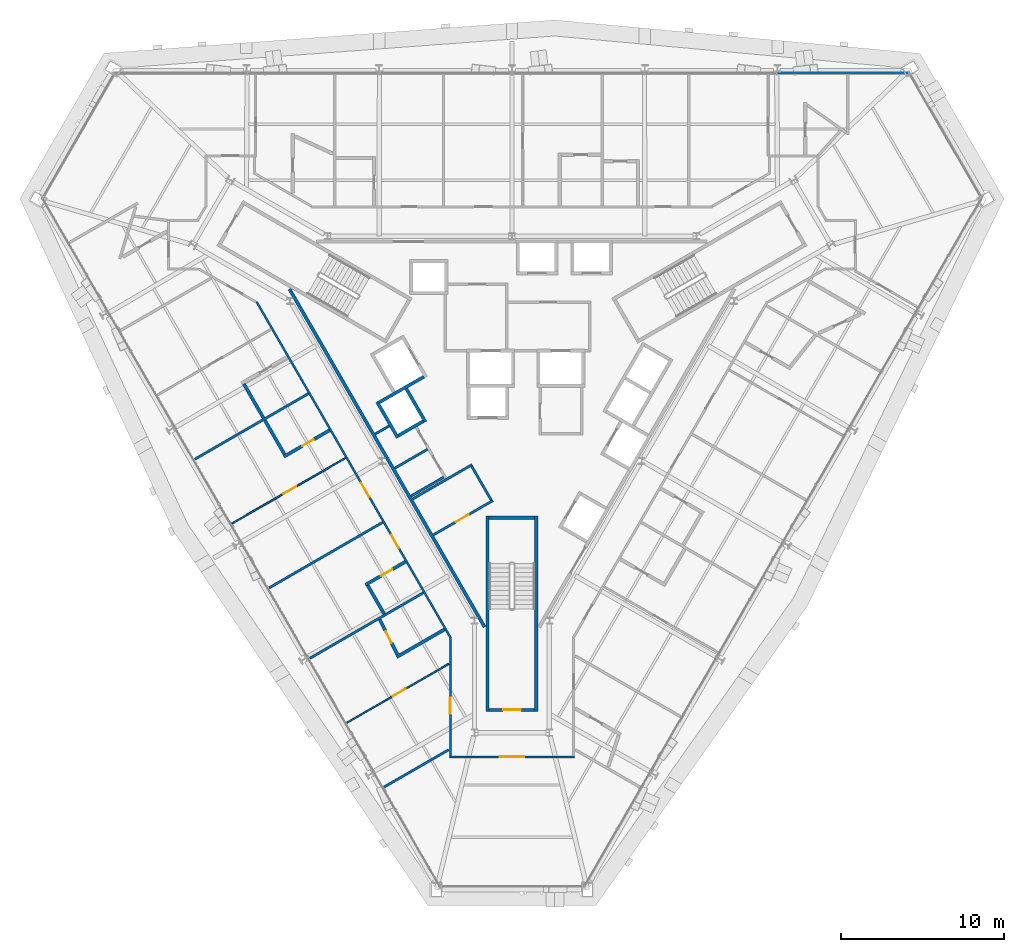
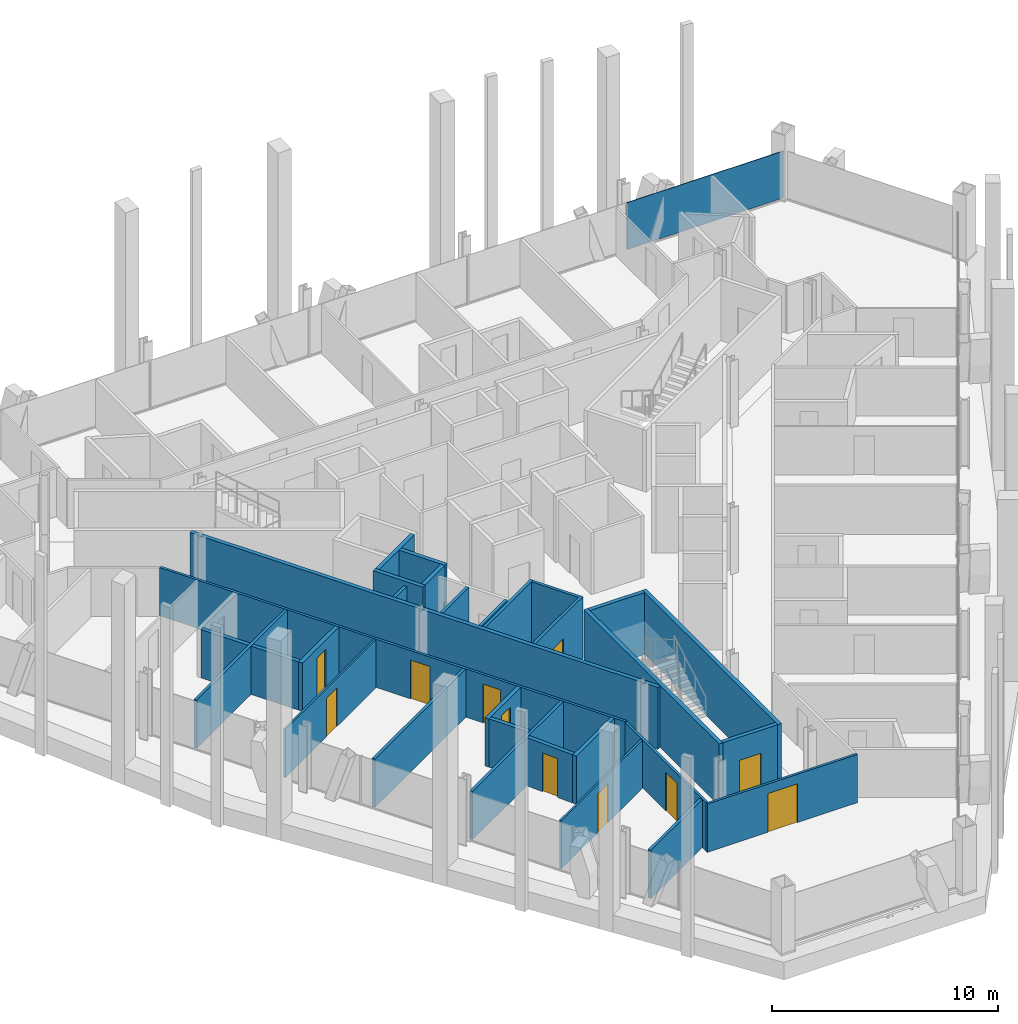
# One storey, part 13 of 19: 31 walls, 11 doors, 1 plate, 11 openings, 1 element without a shape of its own.
"""IFC4 building model written with IfcOpenShell, lengths in metres."""

from ifc_helpers import new_model, si_unit, direction, frame, frame_2d, origin, origin_2d, place, context, subcontext, project, spatial, rectangle, extrude, material, layer, layer_set, type_object, element, fill, aggregate, save


model = new_model("IFC4")

# Units and contexts
model_context = context("Model", 3, precision=1e-05, world=origin(), true_north=direction((0.0, 1.0)))
body_context = subcontext(model_context, "Body", "Model", "MODEL_VIEW")
ifc_project = project(units=[si_unit("LENGTHUNIT", "METRE"), si_unit("AREAUNIT", "SQUARE_METRE"), si_unit("VOLUMEUNIT", "CUBIC_METRE"), si_unit("PLANEANGLEUNIT", "RADIAN"), si_unit("MASSUNIT", "GRAM", prefix="KILO")], contexts=[model_context])

# Site, building, storey
site_placement = place(None, origin())
site = spatial("IfcSite", under=ifc_project, at=site_placement, CompositionType="ELEMENT")
building_placement = place(site_placement, origin())
building = spatial("IfcBuilding", under=site, at=building_placement, Name="Verrane Prism Tower", CompositionType="ELEMENT")
storey_placement = place(building_placement, frame((0.0, 0.0, 121.60009765625)))
storey = spatial("IfcBuildingStorey", under=building, at=storey_placement, Name="L29", CompositionType="ELEMENT", Elevation=121.60009765625)

# Curtain wall, plate
ifc_material_1 = material(Name="Aluminium framed insulated glazing", Category="aluminium")
curtain_wall_type = type_object("IfcCurtainWallType", Name="Curtain wall CW-A 8400 module", PredefinedType="NOTDEFINED", material=ifc_material_1)
curtain_wall_placement = place(storey_placement, origin())
curtain_wall = element("IfcCurtainWall", 1, at=curtain_wall_placement, inside=storey, type_object=curtain_wall_type, Name="Glazed curtain wall north face L29", PredefinedType="NOTDEFINED")
ifc_material_2 = material(Name="Low-iron insulating glass unit", Category="glass")
ifc_layer_1 = layer(ifc_material_2, 0.031982421875)
ifc_layer_set_1 = layer_set([ifc_layer_1], Name="Glazing panel IGU 32")
plate_type = type_object("IfcPlateType", Name="Glazing panel IGU 32", PredefinedType="CURTAIN_PANEL", material=ifc_layer_set_1)
plate_placement = place(storey_placement, frame((20.314697265625, 19.2109375, 0.06982421875), z_axis=(0.0, 0.0, 1.0), x_axis=(-1.0, 0.0, 0.0)))
plate = element("IfcPlate", 2, at=plate_placement, type_object=plate_type, Name="CW29.2 panel 1", PredefinedType="CURTAIN_PANEL", context=body_context, shape_type="SweptSolid", body=[
    extrude(rectangle(XDim=8.02783203125, YDim=0.031982421875, at=origin_2d()), origin(), (0.0, 0.0, 1.0), 2.54296875),
])
aggregate(curtain_wall, [plate])

# Wall
ifc_material_3 = material(Name="Gypsum board partition", Category="other")
ifc_layer_2 = layer(ifc_material_3, 0.199951171875)
ifc_layer_set_2 = layer_set([ifc_layer_2], Name="CW-200 core boundary wall 2 h")
wall_type_1 = type_object("IfcWallType", Name="CW-200 core boundary wall 2 h", PredefinedType="PARTITIONING", material=ifc_layer_set_2)
wall_1_placement = place(storey_placement, frame((-13.66357421875, 5.946044921875, 0.0), z_axis=(0.0, 0.0, 1.0), x_axis=(0.499994327219, -0.866028678941, 0.0)))
element("IfcWall", 3, at=wall_1_placement, inside=storey, type_object=wall_type_1, Name="Core boundary wall CW3-001", PredefinedType="PARTITIONING", context=body_context, shape_type="SweptSolid", body=[
    extrude(rectangle(XDim=23.967529296875, YDim=0.199951171875, at=frame_2d((11.98388671875, 0.0))), origin(), (0.0, 0.0, 1.0), 3.349853515625),
])

# Wall, opening, door
ifc_material_4 = material(Name="Concrete C40/50", Category="concrete")
ifc_layer_3 = layer(ifc_material_4, 0.199951171875)
ifc_layer_set_3 = layer_set([ifc_layer_3], Name="CW-200 stair core wall concrete C40/50 3 h")
wall_type_2 = type_object("IfcWallType", Name="CW-200 stair core wall concrete C40/50 3 h", PredefinedType="PARTITIONING", material=ifc_layer_set_3)
wall_2_placement = place(storey_placement, frame((-1.39990234375, -19.89990234375, 0.0), z_axis=(0.0, 0.0, 1.0), x_axis=(1.0, 0.0, 0.0)))
wall_2 = element("IfcWall", 4, at=wall_2_placement, inside=storey, type_object=wall_type_2, Name="Stair 3 enclosure wall", PredefinedType="PARTITIONING", context=body_context, shape_type="SweptSolid", body=[
    extrude(rectangle(XDim=2.7998046875, YDim=0.199951171875, at=frame_2d((1.39990234375, 0.0))), origin(), (0.0, 0.0, 1.0), 3.349853515625),
])
opening_1_placement = place(wall_2_placement, frame((0.85009765625, 0.0, 0.0)))
opening_1 = element("IfcOpeningElement", 5, at=opening_1_placement, cuts=wall_2, Name="Opening D29502", PredefinedType="OPENING", context=body_context, shape_type="SweptSolid", body=[
    extrude(rectangle(XDim=1.10009765625, YDim=2.10009765625, at=frame_2d((0.550048828125, 1.050048828125))), frame((0.0, 0.10986328125, 0.0), z_axis=(0.0, -1.0, 0.0), x_axis=(1.0, 0.0, 0.0)), (0.0, 0.0, 1.0), 0.219970703125),
])
ifc_material_5 = material(Name="Timber veneered door leaf", Category="wood")
door_type_1 = type_object("IfcDoorType", Name="DR-1100x2100 FD90 single leaf stair", OperationType="NOTDEFINED", PredefinedType="DOOR", material=ifc_material_5)
door_1_placement = place(opening_1_placement, origin())
door_1 = element("IfcDoor", 6, at=door_1_placement, inside=storey, type_object=door_type_1, Name="Stair 3 door", OperationType="SINGLE_SWING_LEFT", OverallHeight=2.10009765625, OverallWidth=1.10009765625, PredefinedType="DOOR", context=body_context, shape_type="SweptSolid", body=[
    extrude(rectangle(XDim=1.10009765625, YDim=2.10009765625, at=frame_2d((0.550048828125, 1.050048828125))), frame((0.0, 0.02490234375, 0.0), z_axis=(0.0, -1.0, 0.0), x_axis=(1.0, 0.0, 0.0)), (0.0, 0.0, 1.0), 0.050048828125),
])
fill(opening_1, door_1)

# Walls
for number, where, z_axis, x_axis, name in (
    (7, (1.5, -8.0, 0.0), (0.0, 0.0, 1.0), (0.0, -1.0, 0.0), "Stair 3 enclosure wall"),
    (8, (-1.5, -8.0, 0.0), (0.0, 0.0, 1.0), (0.0, -1.0, 0.0), "Stair 3 enclosure wall"),
):
    element("IfcWall", number, at=place(storey_placement, frame(where, z_axis=z_axis, x_axis=x_axis)), inside=storey, type_object=wall_type_2, Name=name, PredefinedType="PARTITIONING", context=body_context, shape_type="SweptSolid", body=[
        extrude(rectangle(XDim=12.0, YDim=0.199951171875, at=frame_2d((6.0, 0.0))), origin(), (0.0, 0.0, 1.0), 3.349853515625),
    ])
wall_3_placement = place(storey_placement, frame((-1.39990234375, -8.10009765625, 0.0), z_axis=(0.0, 0.0, 1.0), x_axis=(1.0, 0.0, 0.0)))
element("IfcWall", 9, at=wall_3_placement, inside=storey, type_object=wall_type_2, Name="Stair 3 enclosure wall", PredefinedType="PARTITIONING", context=body_context, shape_type="SweptSolid", body=[
    extrude(rectangle(XDim=2.7998046875, YDim=0.199951171875, at=frame_2d((1.39990234375, 0.0))), origin(), (0.0, 0.0, 1.0), 3.349853515625),
])
ifc_material_6 = material(Name="Gypsum board shaft wall assembly", Category="other")
ifc_layer_4 = layer(ifc_material_6, 0.199951171875)
ifc_layer_set_4 = layer_set([ifc_layer_4], Name="HW-200 lift shaft wall 2 h")
wall_type_3 = type_object("IfcWallType", Name="HW-200 lift shaft wall 2 h", PredefinedType="PARTITIONING", material=ifc_layer_set_4)
wall_4_placement = place(storey_placement, frame((-6.9697265625, -3.048095703125, 0.0), z_axis=(0.0, 0.0, 1.0), x_axis=(0.866036909293, 0.499980071345, 0.0)))
element("IfcWall", 10, at=wall_4_placement, inside=storey, type_object=wall_type_3, Name="Lift shaft wall", PredefinedType="PARTITIONING", context=body_context, shape_type="SweptSolid", body=[
    extrude(rectangle(XDim=1.75, YDim=0.199951171875, at=frame_2d((0.875, 0.0))), origin(), (0.0, 0.0, 1.0), 3.599853515625),
])
wall_5_placement = place(storey_placement, frame((-8.14453125, -1.012939453125, 0.0), z_axis=(0.0, 0.0, 1.0), x_axis=(0.866016494683, 0.500015430699, 0.0)))
element("IfcWall", 11, at=wall_5_placement, inside=storey, type_object=wall_type_3, Name="Lift shaft wall", PredefinedType="PARTITIONING", context=body_context, shape_type="SweptSolid", body=[
    extrude(rectangle(XDim=3.14990234375, YDim=0.199951171875, at=frame_2d((1.574951171875, 0.0))), origin(), (0.0, 0.0, 1.0), 3.599853515625),
])
wall_6_placement = place(storey_placement, frame((-5.317626953125, -2.209716796875, 0.0), z_axis=(0.0, 0.0, 1.0), x_axis=(-0.499938297808, 0.866061024631, 0.0)))
element("IfcWall", 12, at=wall_6_placement, inside=storey, type_object=wall_type_3, Name="Lift shaft wall", PredefinedType="PARTITIONING", context=body_context, shape_type="SweptSolid", body=[
    extrude(rectangle(XDim=2.349853515625, YDim=0.199951171875, at=frame_2d((1.1748046875, 0.0))), origin(), (0.0, 0.0, 1.0), 3.599853515625),
])
wall_7_placement = place(storey_placement, frame((-7.00634765625, -3.184814453125, 0.0), z_axis=(0.0, 0.0, 1.0), x_axis=(-0.499990435942, 0.866030925526, 0.0)))
element("IfcWall", 13, at=wall_7_placement, inside=storey, type_object=wall_type_3, Name="Lift shaft wall", PredefinedType="PARTITIONING", context=body_context, shape_type="SweptSolid", body=[
    extrude(rectangle(XDim=2.5498046875, YDim=0.199951171875, at=frame_2d((1.27490234375, 0.0))), origin(), (0.0, 0.0, 1.0), 3.599853515625),
])

# Wall, opening, door
ifc_material_7 = material(Name="Gypsum board partition", Category="other")
ifc_layer_5 = layer(ifc_material_7, 0.10009765625)
ifc_layer_set_5 = layer_set([ifc_layer_5], Name="PW-100 room partition")
wall_type_4 = type_object("IfcWallType", Name="PW-100 room partition", PredefinedType="PARTITIONING", material=ifc_layer_set_5)
wall_8_placement = place(storey_placement, frame((-17.191650390625, -8.452880859375, 0.0), z_axis=(0.0, 0.0, 1.0), x_axis=(0.865999665789, 0.500044576866, 0.0)))
wall_8 = element("IfcWall", 14, at=wall_8_placement, inside=storey, type_object=wall_type_4, Name="Room partition 015", PredefinedType="PARTITIONING", context=body_context, shape_type="SweptSolid", body=[
    extrude(rectangle(XDim=8.047607421875, YDim=0.10009765625, at=frame_2d((4.02392578125, 0.0))), origin(), (0.0, 0.0, 1.0), 2.61279296875),
])
opening_2_placement = place(wall_8_placement, frame((3.65380859375, 0.0, 0.0)))
opening_2 = element("IfcOpeningElement", 15, at=opening_2_placement, cuts=wall_8, Name="Opening D29020", PredefinedType="OPENING", context=body_context, shape_type="SweptSolid", body=[
    extrude(rectangle(XDim=0.89990234375, YDim=2.10009765625, at=frame_2d((0.449951171875, 1.050048828125))), frame((0.0, 0.06005859375, 0.0), z_axis=(0.0, -1.0, 0.0), x_axis=(1.0, 0.0, 0.0)), (0.0, 0.0, 1.0), 0.1201171875),
])
ifc_material_8 = material(Name="Timber veneered door leaf", Category="wood")
door_type_2 = type_object("IfcDoorType", Name="DR-900x2100 single leaf inner", OperationType="NOTDEFINED", PredefinedType="DOOR", material=ifc_material_8)
door_2_placement = place(opening_2_placement, origin())
door_2 = element("IfcDoor", 16, at=door_2_placement, inside=storey, type_object=door_type_2, Name="Suite Living Room door", OperationType="SINGLE_SWING_RIGHT", OverallHeight=2.10009765625, OverallWidth=0.89990234375, PredefinedType="DOOR", context=body_context, shape_type="SweptSolid", body=[
    extrude(rectangle(XDim=0.89990234375, YDim=2.10009765625, at=frame_2d((0.449951171875, 1.050048828125))), frame((0.0, 0.02490234375, 0.0), z_axis=(0.0, -1.0, 0.0), x_axis=(1.0, 0.0, 0.0)), (0.0, 0.0, 1.0), 0.050048828125),
])
fill(opening_2, door_2)

wall_9_placement = place(storey_placement, frame((-10.1298828125, -20.68408203125, 0.0), z_axis=(0.0, 0.0, 1.0), x_axis=(0.866023480589, 0.500003331057, 0.0)))
wall_9 = element("IfcWall", 17, at=wall_9_placement, inside=storey, type_object=wall_type_4, Name="Room partition 031", PredefinedType="PARTITIONING", context=body_context, shape_type="SweptSolid", body=[
    extrude(rectangle(XDim=7.22314453125, YDim=0.10009765625, at=frame_2d((3.611572265625, 0.0))), origin(), (0.0, 0.0, 1.0), 2.61279296875),
])
opening_3_placement = place(wall_9_placement, frame((3.25390625, 0.0, 0.0)))
opening_3 = element("IfcOpeningElement", 18, at=opening_3_placement, cuts=wall_9, Name="Opening D29025", PredefinedType="OPENING", context=body_context, shape_type="SweptSolid", body=[
    extrude(rectangle(XDim=0.89990234375, YDim=2.10009765625, at=frame_2d((0.449951171875, 1.050048828125))), frame((0.0, 0.06005859375, 0.0), z_axis=(0.0, -1.0, 0.0), x_axis=(1.0, 0.0, 0.0)), (0.0, 0.0, 1.0), 0.1201171875),
])
door_3_placement = place(opening_3_placement, origin())
door_3 = element("IfcDoor", 19, at=door_3_placement, inside=storey, type_object=door_type_2, Name="Suite Living Room door", OperationType="SINGLE_SWING_LEFT", OverallHeight=2.10009765625, OverallWidth=0.89990234375, PredefinedType="DOOR", context=body_context, shape_type="SweptSolid", body=[
    extrude(rectangle(XDim=0.89990234375, YDim=2.10009765625, at=frame_2d((0.449951171875, 1.050048828125))), frame((0.0, 0.02490234375, 0.0), z_axis=(0.0, -1.0, 0.0), x_axis=(1.0, 0.0, 0.0)), (0.0, 0.0, 1.0), 0.050048828125),
])
fill(opening_3, door_3)

# Wall, openings, doors
ifc_material_9 = material(Name="Gypsum board partition", Category="other")
ifc_layer_6 = layer(ifc_material_9, 0.125)
ifc_layer_set_6 = layer_set([ifc_layer_6], Name="PW-125 corridor wall 1 h")
wall_type_5 = type_object("IfcWallType", Name="PW-125 corridor wall 1 h", PredefinedType="PARTITIONING", material=ifc_layer_set_6)
wall_10_placement = place(storey_placement, frame((-3.755859375, -15.494140625, 0.0), z_axis=(0.0, 0.0, 1.0), x_axis=(-0.500027787016, 0.866009360349, 0.0)))
wall_10 = element("IfcWall", 20, at=wall_10_placement, inside=storey, type_object=wall_type_5, Name="Corridor wall 021", PredefinedType="PARTITIONING", context=body_context, shape_type="SweptSolid", body=[
    extrude(rectangle(XDim=23.855712890625, YDim=0.125, at=frame_2d((11.927734375, 0.0))), origin(), (0.0, 0.0, 1.0), 2.61279296875),
])
opening_4_placement = place(wall_10_placement, frame((10.01611328125, 0.0, 0.0)))
opening_4 = element("IfcOpeningElement", 21, at=opening_4_placement, cuts=wall_10, Name="Opening D29019", PredefinedType="OPENING", context=body_context, shape_type="SweptSolid", body=[
    extrude(rectangle(XDim=1.0, YDim=2.10009765625, at=frame_2d((0.5, 1.050048828125))), frame((0.0, 0.072509765625, 0.0), z_axis=(0.0, -1.0, 0.0), x_axis=(1.0, 0.0, 0.0)), (0.0, 0.0, 1.0), 0.14501953125),
])
opening_5_placement = place(wall_10_placement, frame((6.402099609375, 0.0, 0.0)))
opening_5 = element("IfcOpeningElement", 22, at=opening_5_placement, cuts=wall_10, Name="Opening D29022", PredefinedType="OPENING", context=body_context, shape_type="SweptSolid", body=[
    extrude(rectangle(XDim=0.89990234375, YDim=2.10009765625, at=frame_2d((0.449951171875, 1.050048828125))), frame((0.0, 0.072509765625, 0.0), z_axis=(0.0, -1.0, 0.0), x_axis=(1.0, 0.0, 0.0)), (0.0, 0.0, 1.0), 0.14501953125),
])
ifc_material_10 = material(Name="Timber veneered door leaf", Category="wood")
door_type_3 = type_object("IfcDoorType", Name="DR-1000x2100 FD20 single leaf unit", OperationType="NOTDEFINED", PredefinedType="DOOR", material=ifc_material_10)
door_4_placement = place(opening_4_placement, origin())
door_4 = element("IfcDoor", 23, at=door_4_placement, inside=storey, type_object=door_type_3, Name="Suite Living Room door", OperationType="SINGLE_SWING_RIGHT", OverallHeight=2.10009765625, OverallWidth=1.0, PredefinedType="DOOR", context=body_context, shape_type="SweptSolid", body=[
    extrude(rectangle(XDim=1.0, YDim=2.10009765625, at=frame_2d((0.5, 1.050048828125))), frame((0.0, 0.02490234375, 0.0), z_axis=(0.0, -1.0, 0.0), x_axis=(1.0, 0.0, 0.0)), (0.0, 0.0, 1.0), 0.050048828125),
])
fill(opening_4, door_4)
ifc_material_11 = material(Name="Timber veneered door leaf", Category="wood")
door_type_4 = type_object("IfcDoorType", Name="DR-900x2100 FD20 single leaf unit", OperationType="NOTDEFINED", PredefinedType="DOOR", material=ifc_material_11)
door_5_placement = place(opening_5_placement, origin())
door_5 = element("IfcDoor", 24, at=door_5_placement, inside=storey, type_object=door_type_4, Name="Guest Room door", OperationType="SINGLE_SWING_LEFT", OverallHeight=2.10009765625, OverallWidth=0.89990234375, PredefinedType="DOOR", context=body_context, shape_type="SweptSolid", body=[
    extrude(rectangle(XDim=0.89990234375, YDim=2.10009765625, at=frame_2d((0.449951171875, 1.050048828125))), frame((0.0, 0.02490234375, 0.0), z_axis=(0.0, -1.0, 0.0), x_axis=(1.0, 0.0, 0.0)), (0.0, 0.0, 1.0), 0.050048828125),
])
fill(opening_5, door_5)

# Wall, opening, door
wall_11_placement = place(storey_placement, frame((-3.787109375, -22.721923828125, 0.0), z_axis=(0.0, 0.0, 1.0), x_axis=(0.0, 1.0, 0.0)))
wall_11 = element("IfcWall", 25, at=wall_11_placement, inside=storey, type_object=wall_type_5, Name="Corridor wall 039", PredefinedType="PARTITIONING", context=body_context, shape_type="SweptSolid", body=[
    extrude(rectangle(XDim=7.197021484375, YDim=0.125, at=frame_2d((3.5986328125, 0.0))), origin(), (0.0, 0.0, 1.0), 2.61279296875),
])
opening_6_placement = place(wall_11_placement, frame((2.580078125, 0.0, 0.0)))
opening_6 = element("IfcOpeningElement", 26, at=opening_6_placement, cuts=wall_11, Name="Opening D29024", PredefinedType="OPENING", context=body_context, shape_type="SweptSolid", body=[
    extrude(rectangle(XDim=1.0, YDim=2.10009765625, at=frame_2d((0.5, 1.050048828125))), frame((0.0, 0.072509765625, 0.0), z_axis=(0.0, -1.0, 0.0), x_axis=(1.0, 0.0, 0.0)), (0.0, 0.0, 1.0), 0.14501953125),
])
door_6_placement = place(opening_6_placement, origin())
door_6 = element("IfcDoor", 27, at=door_6_placement, inside=storey, type_object=door_type_3, Name="Suite Living Room door", OperationType="SINGLE_SWING_RIGHT", OverallHeight=2.10009765625, OverallWidth=1.0, PredefinedType="DOOR", context=body_context, shape_type="SweptSolid", body=[
    extrude(rectangle(XDim=1.0, YDim=2.10009765625, at=frame_2d((0.5, 1.050048828125))), frame((0.0, 0.02490234375, 0.0), z_axis=(0.0, -1.0, 0.0), x_axis=(1.0, 0.0, 0.0)), (0.0, 0.0, 1.0), 0.050048828125),
])
fill(opening_6, door_6)

wall_12_placement = place(storey_placement, frame((3.849609375, -22.787109375, 0.0), z_axis=(0.0, 0.0, 1.0), x_axis=(-1.0, 0.0, 0.0)))
wall_12 = element("IfcWall", 28, at=wall_12_placement, inside=storey, type_object=wall_type_5, Name="Corridor wall 040", PredefinedType="PARTITIONING", context=body_context, shape_type="SweptSolid", body=[
    extrude(rectangle(XDim=7.69921875, YDim=0.125, at=frame_2d((3.849609375, 0.0))), origin(), (0.0, 0.0, 1.0), 2.61279296875),
])
opening_7_placement = place(wall_12_placement, frame((3.08642578125, 0.0, 0.0)))
opening_7 = element("IfcOpeningElement", 29, at=opening_7_placement, cuts=wall_12, Name="Opening D29027", PredefinedType="OPENING", context=body_context, shape_type="SweptSolid", body=[
    extrude(rectangle(XDim=1.5, YDim=2.10009765625, at=frame_2d((0.75, 1.050048828125))), frame((0.0, 0.072509765625, 0.0), z_axis=(0.0, -1.0, 0.0), x_axis=(1.0, 0.0, 0.0)), (0.0, 0.0, 1.0), 0.14501953125),
])
ifc_material_12 = material(Name="Timber veneered door leaf", Category="wood")
door_type_5 = type_object("IfcDoorType", Name="DR-1500x2100 FD20 double leaf unit", OperationType="NOTDEFINED", PredefinedType="DOOR", material=ifc_material_12)
door_7_placement = place(opening_7_placement, origin())
door_7 = element("IfcDoor", 30, at=door_7_placement, inside=storey, type_object=door_type_5, Name="Kids Club door", OperationType="DOUBLE_DOOR_SINGLE_SWING", OverallHeight=2.10009765625, OverallWidth=1.5, PredefinedType="DOOR", context=body_context, shape_type="SweptSolid", body=[
    extrude(rectangle(XDim=1.5, YDim=2.10009765625, at=frame_2d((0.75, 1.050048828125))), frame((0.0, 0.02490234375, 0.0), z_axis=(0.0, -1.0, 0.0), x_axis=(1.0, 0.0, 0.0)), (0.0, 0.0, 1.0), 0.050048828125),
])
fill(opening_7, door_7)

# Walls
ifc_material_13 = material(Name="Gypsum board partition", Category="other")
ifc_layer_7 = layer(ifc_material_13, 0.14990234375)
ifc_layer_set_7 = layer_set([ifc_layer_7], Name="PW-150 demising wall 1 h")
wall_type_6 = type_object("IfcWallType", Name="PW-150 demising wall 1 h", PredefinedType="PARTITIONING", material=ifc_layer_set_7)
wall_13_placement = place(storey_placement, frame((-19.473388671875, -4.500732421875, 0.0), z_axis=(0.0, 0.0, 1.0), x_axis=(0.866005217449, 0.50003496213, 0.0)))
element("IfcWall", 31, at=wall_13_placement, inside=storey, type_object=wall_type_6, Name="Demising wall 010", PredefinedType="PARTITIONING", context=body_context, shape_type="SweptSolid", body=[
    extrude(rectangle(XDim=8.04736328125, YDim=0.14990234375, at=frame_2d((4.023681640625, 0.0))), origin(), (0.0, 0.0, 1.0), 2.61279296875),
])
wall_14_placement = place(storey_placement, frame((-14.90966796875, -12.405029296875, 0.0), z_axis=(0.0, 0.0, 1.0), x_axis=(0.866044217767, 0.499967411811, 0.0)))
element("IfcWall", 32, at=wall_14_placement, inside=storey, type_object=wall_type_6, Name="Demising wall 023", PredefinedType="PARTITIONING", context=body_context, shape_type="SweptSolid", body=[
    extrude(rectangle(XDim=8.05224609375, YDim=0.14990234375, at=frame_2d((4.026123046875, 0.0))), origin(), (0.0, 0.0, 1.0), 2.61279296875),
])
wall_15_placement = place(storey_placement, frame((-12.41162109375, -16.73193359375, 0.0), z_axis=(0.0, 0.0, 1.0), x_axis=(0.865997251595, 0.500048757853, 0.0)))
element("IfcWall", 33, at=wall_15_placement, inside=storey, type_object=wall_type_6, Name="Demising wall 027", PredefinedType="PARTITIONING", context=body_context, shape_type="SweptSolid", body=[
    extrude(rectangle(XDim=8.052490234375, YDim=0.14990234375, at=frame_2d((4.0263671875, 0.0))), origin(), (0.0, 0.0, 1.0), 2.61279296875),
])
wall_16_placement = place(storey_placement, frame((-7.847900390625, -24.63623046875, 0.0), z_axis=(0.0, 0.0, 1.0), x_axis=(0.866046917185, 0.499962735845, 0.0)))
element("IfcWall", 34, at=wall_16_placement, inside=storey, type_object=wall_type_6, Name="Demising wall 036", PredefinedType="PARTITIONING", context=body_context, shape_type="SweptSolid", body=[
    extrude(rectangle(XDim=4.573486328125, YDim=0.14990234375, at=frame_2d((2.28662109375, 0.0))), origin(), (0.0, 0.0, 1.0), 2.61279296875),
])
ifc_material_14 = material(Name="Gypsum board partition", Category="other")
ifc_layer_8 = layer(ifc_material_14, 0.199951171875)
ifc_layer_set_8 = layer_set([ifc_layer_8], Name="PW-200 plumbing wall")
wall_type_7 = type_object("IfcWallType", Name="PW-200 plumbing wall", PredefinedType="PARTITIONING", material=ifc_layer_set_8)
wall_17_placement = place(storey_placement, frame((-16.467041015625, 0.121337890625, 0.0), z_axis=(0.0, 0.0, 1.0), x_axis=(0.499894243479, -0.866086453731, 0.0)))
element("IfcWall", 35, at=wall_17_placement, inside=storey, type_object=wall_type_7, Name="Plumbing wall 016", PredefinedType="PARTITIONING", context=body_context, shape_type="SweptSolid", body=[
    extrude(rectangle(XDim=2.41943359375, YDim=0.199951171875, at=frame_2d((1.209716796875, 0.0))), origin(), (0.0, 0.0, 1.0), 2.61279296875),
])
wall_18_placement = place(storey_placement, frame((-15.177490234375, -2.113037109375, 0.0), z_axis=(0.0, 0.0, 1.0), x_axis=(0.500196916118, -0.865911684357, 0.0)))
element("IfcWall", 36, at=wall_18_placement, inside=storey, type_object=wall_type_7, Name="Plumbing wall 022", PredefinedType="PARTITIONING", context=body_context, shape_type="SweptSolid", body=[
    extrude(rectangle(XDim=2.419921875, YDim=0.199951171875, at=frame_2d((1.2099609375, 0.0))), origin(), (0.0, 0.0, 1.0), 2.61279296875),
])

# Wall, opening, door
wall_19_placement = place(storey_placement, frame((-14.003662109375, -4.344970703125, 0.0), z_axis=(0.0, 0.0, 1.0), x_axis=(0.866016035791, 0.500016225489, 0.0)))
wall_19 = element("IfcWall", 37, at=wall_19_placement, inside=storey, type_object=wall_type_7, Name="Plumbing wall 024", PredefinedType="PARTITIONING", context=body_context, shape_type="SweptSolid", body=[
    extrude(rectangle(XDim=3.2373046875, YDim=0.199951171875, at=frame_2d((1.61865234375, 0.0))), origin(), (0.0, 0.0, 1.0), 2.61279296875),
])
opening_8_placement = place(wall_19_placement, frame((1.300048828125, 0.0, 0.0)))
opening_8 = element("IfcOpeningElement", 38, at=opening_8_placement, cuts=wall_19, Name="Opening D29021", PredefinedType="OPENING", context=body_context, shape_type="SweptSolid", body=[
    extrude(rectangle(XDim=0.800048828125, YDim=2.10009765625, at=frame_2d((0.39990234375, 1.050048828125))), frame((0.0, 0.10986328125, 0.0), z_axis=(0.0, -1.0, 0.0), x_axis=(1.0, 0.0, 0.0)), (0.0, 0.0, 1.0), 0.219970703125),
])
ifc_material_15 = material(Name="Timber veneered door leaf", Category="wood")
door_type_6 = type_object("IfcDoorType", Name="DR-800x2100 single leaf bath", OperationType="NOTDEFINED", PredefinedType="DOOR", material=ifc_material_15)
door_8_placement = place(opening_8_placement, origin())
door_8 = element("IfcDoor", 39, at=door_8_placement, inside=storey, type_object=door_type_6, Name="En-Suite door", OperationType="SINGLE_SWING_LEFT", OverallHeight=2.10009765625, OverallWidth=0.800048828125, PredefinedType="DOOR", context=body_context, shape_type="SweptSolid", body=[
    extrude(rectangle(XDim=0.800048828125, YDim=2.10009765625, at=frame_2d((0.39990234375, 1.050048828125))), frame((0.0, 0.02490234375, 0.0), z_axis=(0.0, -1.0, 0.0), x_axis=(1.0, 0.0, 0.0)), (0.0, 0.0, 1.0), 0.050048828125),
])
fill(opening_8, door_8)

# Wall
wall_20_placement = place(storey_placement, frame((-8.859130859375, -12.255615234375, 0.0), z_axis=(0.0, 0.0, 1.0), x_axis=(0.499868889286, -0.866101087359, 0.0)))
element("IfcWall", 40, at=wall_20_placement, inside=storey, type_object=wall_type_7, Name="Plumbing wall 032", PredefinedType="PARTITIONING", context=body_context, shape_type="SweptSolid", body=[
    extrude(rectangle(XDim=2.0205078125, YDim=0.199951171875, at=frame_2d((1.01025390625, 0.0))), origin(), (0.0, 0.0, 1.0), 2.61279296875),
])

# Wall, opening, door
wall_21_placement = place(storey_placement, frame((-6.5380859375, -10.80029296875, 0.0), z_axis=(0.0, 0.0, 1.0), x_axis=(-0.866048046904, -0.499960778915, 0.0)))
wall_21 = element("IfcWall", 41, at=wall_21_placement, inside=storey, type_object=wall_type_7, Name="Plumbing wall 033", PredefinedType="PARTITIONING", context=body_context, shape_type="SweptSolid", body=[
    extrude(rectangle(XDim=2.837646484375, YDim=0.199951171875, at=frame_2d((1.4189453125, 0.0))), origin(), (0.0, 0.0, 1.0), 2.61279296875),
])
opening_9_placement = place(wall_21_placement, frame((0.9375, 0.0, 0.0)))
opening_9 = element("IfcOpeningElement", 42, at=opening_9_placement, cuts=wall_21, Name="Opening D29023", PredefinedType="OPENING", context=body_context, shape_type="SweptSolid", body=[
    extrude(rectangle(XDim=0.800048828125, YDim=2.10009765625, at=frame_2d((0.39990234375, 1.050048828125))), frame((0.0, 0.10986328125, 0.0), z_axis=(0.0, -1.0, 0.0), x_axis=(1.0, 0.0, 0.0)), (0.0, 0.0, 1.0), 0.219970703125),
])
door_9_placement = place(opening_9_placement, origin())
door_9 = element("IfcDoor", 43, at=door_9_placement, inside=storey, type_object=door_type_6, Name="En-Suite door", OperationType="SINGLE_SWING_RIGHT", OverallHeight=2.10009765625, OverallWidth=0.800048828125, PredefinedType="DOOR", context=body_context, shape_type="SweptSolid", body=[
    extrude(rectangle(XDim=0.800048828125, YDim=2.10009765625, at=frame_2d((0.39990234375, 1.050048828125))), frame((0.0, 0.02490234375, 0.0), z_axis=(0.0, -1.0, 0.0), x_axis=(1.0, 0.0, 0.0)), (0.0, 0.0, 1.0), 0.050048828125),
])
fill(opening_9, door_9)

wall_22_placement = place(storey_placement, frame((-8.11865234375, -14.347412109375, 0.0), z_axis=(0.0, 0.0, 1.0), x_axis=(0.448586498331, -0.893739421484, 0.0)))
wall_22 = element("IfcWall", 44, at=wall_22_placement, inside=storey, type_object=wall_type_7, Name="Plumbing wall 035", PredefinedType="PARTITIONING", context=body_context, shape_type="SweptSolid", body=[
    extrude(rectangle(XDim=2.41748046875, YDim=0.199951171875, at=frame_2d((1.208740234375, 0.0))), origin(), (0.0, 0.0, 1.0), 2.61279296875),
])
opening_10_placement = place(wall_22_placement, frame((0.819091796875, 0.0, 0.0)))
opening_10 = element("IfcOpeningElement", 45, at=opening_10_placement, cuts=wall_22, Name="Opening D29026", PredefinedType="OPENING", context=body_context, shape_type="SweptSolid", body=[
    extrude(rectangle(XDim=0.800048828125, YDim=2.10009765625, at=frame_2d((0.39990234375, 1.050048828125))), frame((0.0, 0.10986328125, 0.0), z_axis=(0.0, -1.0, 0.0), x_axis=(1.0, 0.0, 0.0)), (0.0, 0.0, 1.0), 0.219970703125),
])
door_10_placement = place(opening_10_placement, origin())
door_10 = element("IfcDoor", 46, at=door_10_placement, inside=storey, type_object=door_type_6, Name="En-Suite door", OperationType="SINGLE_SWING_RIGHT", OverallHeight=2.10009765625, OverallWidth=0.800048828125, PredefinedType="DOOR", context=body_context, shape_type="SweptSolid", body=[
    extrude(rectangle(XDim=0.800048828125, YDim=2.10009765625, at=frame_2d((0.39990234375, 1.050048828125))), frame((0.0, 0.02490234375, 0.0), z_axis=(0.0, -1.0, 0.0), x_axis=(1.0, 0.0, 0.0)), (0.0, 0.0, 1.0), 0.050048828125),
])
fill(opening_10, door_10)

# Walls
wall_23_placement = place(storey_placement, frame((-7.073486328125, -16.652099609375, 0.0), z_axis=(0.0, 0.0, 1.0), x_axis=(0.866009256036, 0.500027967679, 0.0)))
element("IfcWall", 47, at=wall_23_placement, inside=storey, type_object=wall_type_7, Name="Plumbing wall 037", PredefinedType="PARTITIONING", context=body_context, shape_type="SweptSolid", body=[
    extrude(rectangle(XDim=3.389404296875, YDim=0.199951171875, at=frame_2d((1.69482421875, 0.0))), origin(), (0.0, 0.0, 1.0), 2.61279296875),
])
ifc_material_16 = material(Name="Gypsum board partition", Category="other")
ifc_layer_9 = layer(ifc_material_16, 0.14990234375)
ifc_layer_set_9 = layer_set([ifc_layer_9], Name="RS-150 riser enclosure wall 1 h")
wall_type_8 = type_object("IfcWallType", Name="RS-150 riser enclosure wall 1 h", PredefinedType="PARTITIONING", material=ifc_layer_set_9)
wall_24_placement = place(storey_placement, frame((-8.402099609375, -2.95751953125, 0.0), z_axis=(0.0, 0.0, 1.0), x_axis=(0.866025935826, 0.499999078476, 0.0)))
element("IfcWall", 48, at=wall_24_placement, inside=storey, type_object=wall_type_8, Name="Riser wall RS3-001", PredefinedType="PARTITIONING", context=body_context, shape_type="SweptSolid", body=[
    extrude(rectangle(XDim=0.9931640625, YDim=0.14990234375, at=frame_2d((0.49658203125, 0.0))), origin(), (0.0, 0.0, 1.0), 3.349853515625),
])
wall_25_placement = place(storey_placement, frame((-7.192138671875, -5.053466796875, 0.0), z_axis=(0.0, 0.0, 1.0), x_axis=(0.865851878631, 0.500300434011, 0.0)))
element("IfcWall", 49, at=wall_25_placement, inside=storey, type_object=wall_type_8, Name="Riser wall RS3-002", PredefinedType="PARTITIONING", context=body_context, shape_type="SweptSolid", body=[
    extrude(rectangle(XDim=2.3154296875, YDim=0.14990234375, at=frame_2d((1.15771484375, 0.0))), origin(), (0.0, 0.0, 1.0), 3.349853515625),
])
wall_26_placement = place(storey_placement, frame((-6.206298828125, -6.77001953125, 0.0), z_axis=(0.0, 0.0, 1.0), x_axis=(0.865998469481, 0.500046648681, 0.0)))
element("IfcWall", 50, at=wall_26_placement, inside=storey, type_object=wall_type_8, Name="Riser wall RS3-003", PredefinedType="PARTITIONING", context=body_context, shape_type="SweptSolid", body=[
    extrude(rectangle(XDim=2.324951171875, YDim=0.14990234375, at=frame_2d((1.16259765625, 0.0))), origin(), (0.0, 0.0, 1.0), 3.349853515625),
])
wall_27_placement = place(storey_placement, frame((-6.10009765625, -6.945556640625, 0.0), z_axis=(0.0, 0.0, 1.0), x_axis=(0.866038200431, 0.499977834903, 0.0)))
element("IfcWall", 51, at=wall_27_placement, inside=storey, type_object=wall_type_8, Name="Riser wall RS3-004", PredefinedType="PARTITIONING", context=body_context, shape_type="SweptSolid", body=[
    extrude(rectangle(XDim=4.220458984375, YDim=0.14990234375, at=frame_2d((2.1103515625, 0.0))), origin(), (0.0, 0.0, 1.0), 3.349853515625),
])

# Wall, opening, door
wall_28_placement = place(storey_placement, frame((-4.824951171875, -9.153564453125, 0.0), z_axis=(0.0, 0.0, 1.0), x_axis=(0.866023738697, 0.500002884005, 0.0)))
wall_28 = element("IfcWall", 52, at=wall_28_placement, inside=storey, type_object=wall_type_8, Name="Riser wall RS3-006", PredefinedType="PARTITIONING", context=body_context, shape_type="SweptSolid", body=[
    extrude(rectangle(XDim=4.22021484375, YDim=0.14990234375, at=frame_2d((2.110107421875, 0.0))), origin(), (0.0, 0.0, 1.0), 3.349853515625),
])
opening_11_placement = place(wall_28_placement, frame((1.594970703125, 0.0, 0.0)))
opening_11 = element("IfcOpeningElement", 53, at=opening_11_placement, cuts=wall_28, Name="Opening D29514", PredefinedType="OPENING", context=body_context, shape_type="SweptSolid", body=[
    extrude(rectangle(XDim=0.89990234375, YDim=2.10009765625, at=frame_2d((0.449951171875, 1.050048828125))), frame((0.0, 0.0849609375, 0.0), z_axis=(0.0, -1.0, 0.0), x_axis=(1.0, 0.0, 0.0)), (0.0, 0.0, 1.0), 0.169921875),
])
ifc_material_17 = material(Name="Timber veneered door leaf", Category="wood")
door_type_7 = type_object("IfcDoorType", Name="DR-900x2100 FD20 single leaf store", OperationType="NOTDEFINED", PredefinedType="DOOR", material=ifc_material_17)
door_11_placement = place(opening_11_placement, origin())
door_11 = element("IfcDoor", 54, at=door_11_placement, inside=storey, type_object=door_type_7, Name="Room door D29514", OperationType="SINGLE_SWING_LEFT", OverallHeight=2.10009765625, OverallWidth=0.89990234375, PredefinedType="DOOR", context=body_context, shape_type="SweptSolid", body=[
    extrude(rectangle(XDim=0.89990234375, YDim=2.10009765625, at=frame_2d((0.449951171875, 1.050048828125))), frame((0.0, 0.02490234375, 0.0), z_axis=(0.0, -1.0, 0.0), x_axis=(1.0, 0.0, 0.0)), (0.0, 0.0, 1.0), 0.050048828125),
])
fill(opening_11, door_11)

# Wall
wall_29_placement = place(storey_placement, frame((-2.472412109375, -4.93798828125, 0.0), z_axis=(0.0, 0.0, 1.0), x_axis=(0.500045362686, -0.865999212041, 0.0)))
element("IfcWall", 55, at=wall_29_placement, inside=storey, type_object=wall_type_8, Name="Riser wall RS3-007", PredefinedType="PARTITIONING", context=body_context, shape_type="SweptSolid", body=[
    extrude(rectangle(XDim=2.399658203125, YDim=0.14990234375, at=frame_2d((1.19970703125, 0.0))), origin(), (0.0, 0.0, 1.0), 3.349853515625),
])

save(model, "model.ifc")
